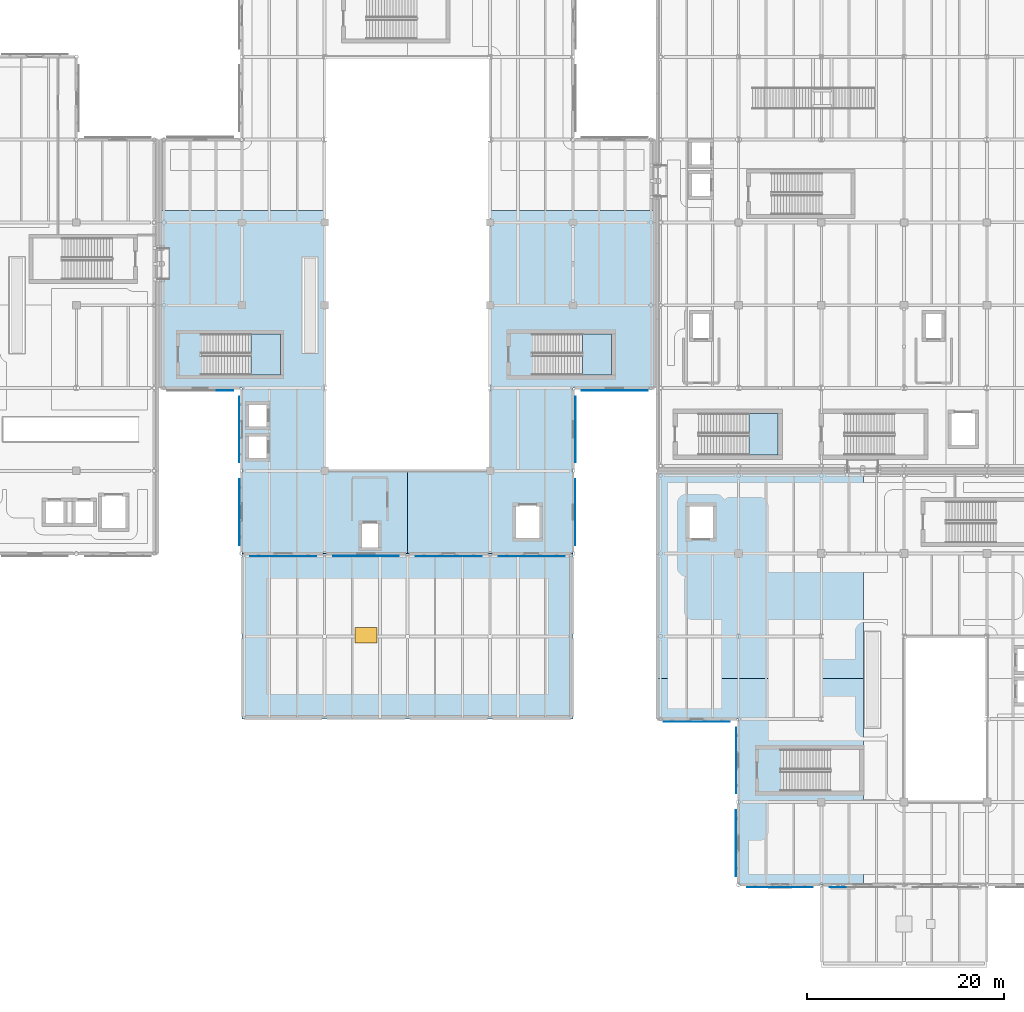
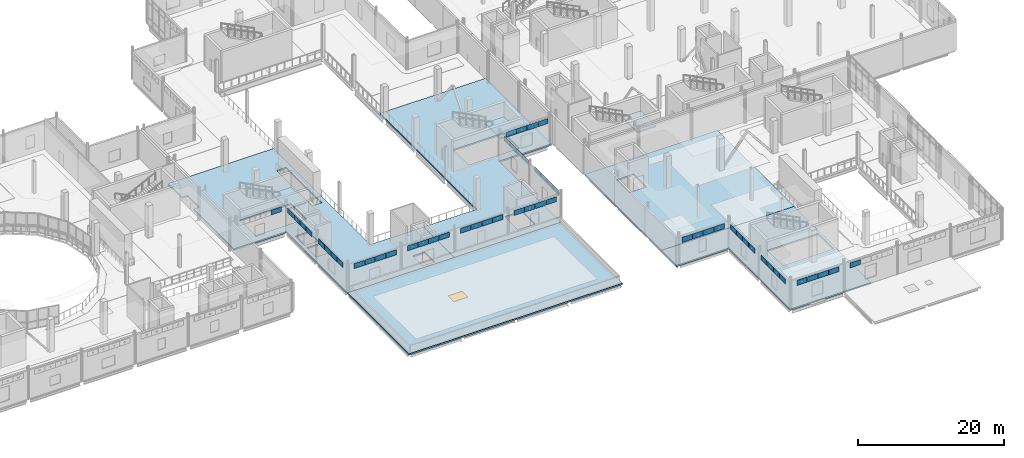
# One storey, part 57 of 110: 54 plates, 8 slabs, 1 window, 1 opening, 3 elements without a shape of their own.
"""IFC4 building model written with IfcOpenShell, lengths in metres."""

import ifcopenshell
import ifcopenshell.guid

model = None  # the IFC model being written
_history = None  # IfcOwnerHistory: only IFC2X3 demands one
_inside = {}  # id of a spatial element -> (the spatial element, [elements in it])
_under = {}  # id of a project, library or spatial element -> (it, [spatial elements below it])
_declared = {}  # id of a project -> (the project, [libraries it declares])
_typed = {}  # id of a type object -> (the type object, [elements of that type])
_made_of = {}  # id of a material, layer set ... -> (it, [elements and type objects made of it])


def new_model(schema):
    """Start an empty IFC model of exactly this schema.

    Asked for "IFC4X3", IfcOpenShell would pick the latest addendum, in which some entities
    have other attributes; the version numbers below select the first issue.
    IFC2X3 requires an IfcOwnerHistory on every rooted entity: one is made here for all.
    """
    global model, _history
    if schema == "IFC4X3":
        model = ifcopenshell.file(schema_version=(4, 3, 0, 0))
    else:
        model = ifcopenshell.file(schema=schema)
    _inside.clear()
    _under.clear()
    _declared.clear()
    _typed.clear()
    _made_of.clear()
    _history = None
    if model.schema == "IFC2X3":
        org = make("IfcOrganization", Name="unknown")
        user = make(
            "IfcPersonAndOrganization",
            ThePerson=make("IfcPerson", FamilyName="unknown"),
            TheOrganization=org,
        )
        app = make(
            "IfcApplication",
            ApplicationDeveloper=org,
            Version="unknown",
            ApplicationFullName="unknown",
            ApplicationIdentifier="unknown",
        )
        _history = make(
            "IfcOwnerHistory",
            OwningUser=user,
            OwningApplication=app,
            ChangeAction="ADDED",
            CreationDate=0,
        )
    return model


def make(cls, **values):
    """One entity of the class cls with the attributes given. An attribute that is None is left unset."""
    return model.create_entity(
        cls, **{name: value for name, value in values.items() if value is not None}
    )


def rooted(cls, **values):
    """An entity with a GlobalId (a new one), such as an element, a storey or a relation."""
    return make(cls, GlobalId=ifcopenshell.guid.new(), OwnerHistory=_history, **values)


def si_unit(unit_type, name, prefix=None):
    """IfcSIUnit, for example si_unit("LENGTHUNIT", "METRE", prefix="MILLI")."""
    return make("IfcSIUnit", UnitType=unit_type, Prefix=prefix, Name=name)


def assignment(units):
    """IfcUnitAssignment: the units of a project."""
    return None if units is None else make("IfcUnitAssignment", Units=units)


def point(xyz):
    """IfcCartesianPoint."""
    return None if xyz is None else make("IfcCartesianPoint", Coordinates=xyz)


def direction(xyz):
    """IfcDirection."""
    return None if xyz is None else make("IfcDirection", DirectionRatios=xyz)


def frame(location, z_axis=None, x_axis=None):
    """IfcAxis2Placement3D, a coordinate frame: its origin and axes. An axis left out is left unset."""
    return make(
        "IfcAxis2Placement3D",
        Location=point(location),
        Axis=direction(z_axis),
        RefDirection=direction(x_axis),
    )


def frame_2d(location, x_axis=None):
    """IfcAxis2Placement2D, a coordinate frame in the plane: its origin and x axis."""
    return make(
        "IfcAxis2Placement2D", Location=point(location), RefDirection=direction(x_axis)
    )


def origin():
    """The frame at (0, 0, 0) with its axes left unset."""
    return frame((0.0, 0.0, 0.0))


def origin_2d():
    """The frame at (0, 0) in the plane with its x axis left unset."""
    return frame_2d((0.0, 0.0))


def place(relative_to, where):
    """IfcLocalPlacement: puts the frame where relative to a parent placement (None: the world)."""
    return make(
        "IfcLocalPlacement", PlacementRelTo=relative_to, RelativePlacement=where
    )


def context(
    kind, dimensions, precision=None, world=None, true_north=None, identifier=None
):
    """IfcGeometricRepresentationContext, for example the 3D "Model" context."""
    return make(
        "IfcGeometricRepresentationContext",
        ContextIdentifier=identifier,
        ContextType=kind,
        CoordinateSpaceDimension=dimensions,
        Precision=precision,
        WorldCoordinateSystem=world,
        TrueNorth=true_north,
    )


def subcontext(parent, identifier, kind, view, scale=None):
    """IfcGeometricRepresentationSubContext, for example "Body" below "Model"."""
    return make(
        "IfcGeometricRepresentationSubContext",
        ContextIdentifier=identifier,
        ContextType=kind,
        ParentContext=parent,
        TargetScale=scale,
        TargetView=view,
    )


def project(units=None, contexts=None):
    """IfcProject with its units and contexts."""
    return rooted(
        "IfcProject",
        Name="project",
        RepresentationContexts=contexts,
        UnitsInContext=assignment(units),
    )


def spatial(cls, under=None, at=None, **own):
    """A site, building, storey or space (cls), placed at a placement, below another one or the project."""
    s = rooted(cls, ObjectPlacement=at, **own)
    if under is not None:
        _under.setdefault(under.id(), (under, []))[1].append(s)
    return s


def polyline(points):
    """IfcPolyline through the points."""
    return make("IfcPolyline", Points=[point(p) for p in points])


def profile(cls, at=None, kind="AREA", **sizes):
    """A parametric profile (cls). Its sizes go by their IFC names, for example OverallWidth=200.0."""
    return make(cls, ProfileType=kind, Position=at, **sizes)


def rectangle(**sizes):
    """IfcRectangleProfileDef."""
    return profile("IfcRectangleProfileDef", **sizes)


def outline(outer, holes=None, kind="AREA"):
    """IfcArbitraryClosedProfileDef: a profile drawn as a closed curve; with holes, ...WithVoids."""
    if holes is None:
        return make("IfcArbitraryClosedProfileDef", ProfileType=kind, OuterCurve=outer)
    return make(
        "IfcArbitraryProfileDefWithVoids",
        ProfileType=kind,
        OuterCurve=outer,
        InnerCurves=holes,
    )


def extrude(swept, where, along, depth):
    """IfcExtrudedAreaSolid: the profile swept, set in the frame where, extruded along a direction by depth."""
    return make(
        "IfcExtrudedAreaSolid",
        SweptArea=swept,
        Position=where,
        ExtrudedDirection=direction(along),
        Depth=depth,
    )


def shape(context_of_items, identifier, shape_type, items):
    """IfcShapeRepresentation: the items that make up one representation, for example the "Body"."""
    return make(
        "IfcShapeRepresentation",
        ContextOfItems=context_of_items,
        RepresentationIdentifier=identifier,
        RepresentationType=shape_type,
        Items=items,
    )


def material(Name=None, Category=None):
    """IfcMaterial."""
    return make("IfcMaterial", Name=Name, Category=Category)


def layer(
    of_material, thickness, ventilated=None, Name=None, Category=None, Priority=None
):
    """IfcMaterialLayer: one layer of a wall or slab, of a material (None: an air gap)."""
    return make(
        "IfcMaterialLayer",
        Material=of_material,
        LayerThickness=thickness,
        IsVentilated=ventilated,
        Name=Name,
        Category=Category,
        Priority=Priority,
    )


def layer_set(layers, Name=None):
    """IfcMaterialLayerSet."""
    return make("IfcMaterialLayerSet", MaterialLayers=layers, LayerSetName=Name)


def made_of(thing, what):
    """Note that an element or type object is made of a material, layer set ...; save() writes the relation."""
    if what is not None:
        _made_of.setdefault(what.id(), (what, []))[1].append(thing)
    return thing


def type_object(cls, material=None, **own):
    """A type object (cls), such as IfcWallType, which elements share."""
    return made_of(rooted(cls, **own), material)


def element(
    cls,
    number,
    at=None,
    inside=None,
    cuts=None,
    type_object=None,
    material=None,
    context=None,
    identifier="Body",
    shape_type=None,
    held_by="IfcProductDefinitionShape",
    body=None,
    shapes=None,
    **own,
):
    """One element of the class cls, such as IfcWall. Its Tag is "e" and its number.

    at: its placement. inside: the storey or other place that contains it. cuts: it is an
    opening in that element (IfcRelVoidsElement). A single representation is given by context,
    identifier, shape_type and body (its items); several are given by shapes. held_by: the class
    of the entity that holds the representations. save() writes the other relations.
    """
    e = rooted(cls, Tag="e%d" % number, ObjectPlacement=at, **own)
    if body is not None:
        shapes = [shape(context, identifier, shape_type, body)]
    if shapes is not None:
        e.Representation = make(held_by, Representations=shapes)
    if inside is not None:
        _inside.setdefault(inside.id(), (inside, []))[1].append(e)
    if cuts is not None:
        rooted(
            "IfcRelVoidsElement", RelatingBuildingElement=cuts, RelatedOpeningElement=e
        )
    if type_object is not None:
        _typed.setdefault(type_object.id(), (type_object, []))[1].append(e)
    return made_of(e, material)


def fill(opening, filler):
    """IfcRelFillsElement: the door or window that sits in an opening."""
    return rooted(
        "IfcRelFillsElement",
        RelatingOpeningElement=opening,
        RelatedBuildingElement=filler,
    )


def aggregate(whole, parts):
    """IfcRelAggregates: a whole, such as a stair, and the parts it consists of."""
    return rooted("IfcRelAggregates", RelatingObject=whole, RelatedObjects=parts)


def save(model, path):
    """Write the relations noted so far, then the file.

    IfcRelAggregates (storeys below a building ...), IfcRelContainedInSpatialStructure (elements
    in a storey), IfcRelDefinesByType, IfcRelAssociatesMaterial and IfcRelDeclares: one each for
    every whole, place, type object, material and project.
    """
    for whole, parts in _under.values():
        aggregate(whole, parts)
    for where, things in _inside.values():
        rooted(
            "IfcRelContainedInSpatialStructure",
            RelatedElements=things,
            RelatingStructure=where,
        )
    for kind, things in _typed.values():
        rooted("IfcRelDefinesByType", RelatedObjects=things, RelatingType=kind)
    for what, things in _made_of.values():
        rooted("IfcRelAssociatesMaterial", RelatedObjects=things, RelatingMaterial=what)
    for by, libraries in _declared.values():
        rooted("IfcRelDeclares", RelatingContext=by, RelatedDefinitions=libraries)
    model.write(path)


model = new_model("IFC4")

# Units and contexts
model_context = context("Model", 3, precision=1e-05, world=origin(), true_north=direction((0.0, 1.0)))
body_context = subcontext(model_context, "Body", "Model", "MODEL_VIEW")
ifc_project = project(units=[si_unit("LENGTHUNIT", "METRE"), si_unit("AREAUNIT", "SQUARE_METRE"), si_unit("VOLUMEUNIT", "CUBIC_METRE"), si_unit("PLANEANGLEUNIT", "RADIAN"), si_unit("MASSUNIT", "GRAM", prefix="KILO"), si_unit("THERMODYNAMICTEMPERATUREUNIT", "KELVIN")], contexts=[model_context])

# Site, building, storey
site_placement = place(None, origin())
site = spatial("IfcSite", under=ifc_project, at=site_placement, CompositionType="ELEMENT")
building_placement = place(site_placement, origin())
building = spatial("IfcBuilding", under=site, at=building_placement, Name="Lustrewick Department Store", CompositionType="ELEMENT")
storey_placement = place(building_placement, frame((0.0, 0.0, 6.0)))
storey = spatial("IfcBuildingStorey", under=building, at=storey_placement, Name="L02", CompositionType="ELEMENT", Elevation=6.0)

# Slabs
ifc_material_1 = material(Name="Concrete C30", Category="concrete")
ifc_layer_1 = layer(ifc_material_1, 0.25, Name="Concrete C30")
ifc_layer_set_1 = layer_set([ifc_layer_1], Name="Concrete C30")
slab_type_1 = type_object("IfcSlabType", Name="FS02", PredefinedType="FLOOR", material=ifc_layer_set_1)
slab_1_placement = place(storey_placement, frame((0.0, 0.0, -0.25)))
element("IfcSlab", 1, at=slab_1_placement, inside=storey, type_object=slab_type_1, Name="L02 V2 Floor Slab FS02", PredefinedType="FLOOR", context=body_context, shape_type="SweptSolid", body=[
    extrude(outline(polyline([(67.199951171875, 58.800048828125), (67.199951171875, 42.0), (84.0, 42.0), (84.0, 50.39990234375), (75.60009765625, 50.39990234375), (75.60009765625, 76.800048828125), (58.949951171875, 76.800048828125), (58.949951171875, 73.0048828125), (59.8349609375, 73.0048828125), (59.8349609375, 69.794921875), (58.949951171875, 69.794921875), (58.949951171875, 58.800048828125), (67.199951171875, 58.800048828125)]), holes=[polyline([(79.25, 42.449951171875), (79.25, 45.14990234375), (81.14990234375, 45.14990234375), (81.14990234375, 42.449951171875), (79.25, 42.449951171875)]), polyline([(73.35009765625, 62.35009765625), (73.35009765625, 72.050048828125), (74.85009765625, 72.050048828125), (74.85009765625, 62.35009765625), (73.35009765625, 62.35009765625)]), polyline([(63.1201171875, 60.10009765625), (63.1201171875, 64.300048828125), (71.10009765625, 64.300048828125), (71.10009765625, 60.10009765625), (63.1201171875, 60.10009765625)]), polyline([(67.75, 51.550048828125), (67.75, 54.050048828125), (69.85009765625, 54.050048828125), (69.85009765625, 51.550048828125), (67.75, 51.550048828125)]), polyline([(67.75, 54.75), (67.75, 57.25), (69.85009765625, 57.25), (69.85009765625, 54.75), (67.75, 54.75)])]), origin(), (0.0, 0.0, 1.0), 0.25),
])
slab_2_placement = place(storey_placement, frame((0.0, 0.0, -0.25)))
element("IfcSlab", 2, at=slab_2_placement, inside=storey, type_object=slab_type_1, Name="L02 V2 Floor Slab FS02", PredefinedType="FLOOR", context=body_context, shape_type="SweptSolid", body=[
    extrude(outline(polyline([(109.050048828125, 58.800048828125), (109.050048828125, 76.800048828125), (92.39990234375, 76.800048828125), (92.39990234375, 50.39990234375), (84.0, 50.39990234375), (84.0, 42.0), (100.800048828125, 42.0), (100.800048828125, 58.800048828125), (109.050048828125, 58.800048828125)]), holes=[polyline([(96.719970703125, 60.10009765625), (96.719970703125, 64.300048828125), (104.699951171875, 64.300048828125), (104.699951171875, 60.10009765625), (96.719970703125, 60.10009765625)]), polyline([(94.85009765625, 43.449951171875), (94.85009765625, 46.949951171875), (97.550048828125, 46.949951171875), (97.550048828125, 43.449951171875), (94.85009765625, 43.449951171875)])]), origin(), (0.0, 0.0, 1.0), 0.25),
])
slab_3_placement = place(storey_placement, frame((0.0, 0.0, -0.25)))
element("IfcSlab", 3, at=slab_3_placement, inside=storey, type_object=slab_type_1, Name="L02 V3 Floor Slab FS02", PredefinedType="FLOOR", context=body_context, shape_type="SweptSolid", body=[
    extrude(outline(polyline([(117.60009765625, 8.39990234375), (130.27490234375, 8.39990234375), (130.27490234375, 29.324951171875), (109.35009765625, 29.324951171875), (109.35009765625, 25.199951171875), (117.60009765625, 25.199951171875), (117.60009765625, 8.39990234375)]), holes=[polyline([(121.919921875, 17.89990234375), (121.919921875, 22.10009765625), (129.89990234375, 22.10009765625), (129.89990234375, 17.89990234375), (121.919921875, 17.89990234375)])]), origin(), (0.0, 0.0, 1.0), 0.25),
])
slab_4_placement = place(storey_placement, frame((0.0, 0.0, -0.25)))
element("IfcSlab", 4, at=slab_4_placement, inside=storey, type_object=slab_type_1, Name="L02 V3 Floor Slab FS02", PredefinedType="FLOOR", context=body_context, shape_type="SweptSolid", body=[
    extrude(outline(polyline([(109.35009765625, 50.25), (109.35009765625, 29.324951171875), (130.27490234375, 29.324951171875), (130.27490234375, 50.25), (109.35009765625, 50.25)]), holes=[polyline([(112.449951171875, 43.449951171875), (112.449951171875, 46.949951171875), (115.14990234375, 46.949951171875), (115.14990234375, 43.449951171875), (112.449951171875, 43.449951171875)])]), origin(), (0.0, 0.0, 1.0), 0.25),
])

# Stair, slab
stair_type = type_object("IfcStairType", Name="ST-H54", PredefinedType="HALF_TURN_STAIR", material=ifc_material_1)
stair_1_placement = place(storey_placement, origin())
stair_1 = element("IfcStair", 5, at=stair_1_placement, inside=storey, type_object=stair_type, Name="L02 Smoke-Proof Exit Stair ST04", PredefinedType="HALF_TURN_STAIR")
ifc_layer_2 = layer(ifc_material_1, 0.199951171875, Name="Concrete C30")
ifc_layer_set_2 = layer_set([ifc_layer_2], Name="Concrete C30")
slab_type_2 = type_object("IfcSlabType", Name="LS01", PredefinedType="LANDING", material=ifc_layer_set_2)
slab_5_placement = place(storey_placement, frame((0.0, 0.0, 2.5)))
slab_5 = element("IfcSlab", 6, at=slab_5_placement, type_object=slab_type_2, Name="ST-H54 landing 1", PredefinedType="LANDING", context=body_context, shape_type="SweptSolid", body=[
    extrude(outline(polyline([(68.14990234375, 60.10009765625), (71.10009765625, 60.10009765625), (71.10009765625, 64.300048828125), (68.14990234375, 64.300048828125), (68.14990234375, 60.10009765625)])), origin(), (0.0, 0.0, 1.0), 0.199951171875),
])
aggregate(stair_1, [slab_5])

stair_2_placement = place(storey_placement, origin())
stair_2 = element("IfcStair", 7, at=stair_2_placement, inside=storey, type_object=stair_type, Name="L02 Smoke-Proof Exit Stair ST05", PredefinedType="HALF_TURN_STAIR")
slab_6_placement = place(storey_placement, frame((0.0, 0.0, 2.5)))
slab_6 = element("IfcSlab", 8, at=slab_6_placement, type_object=slab_type_2, Name="ST-H54 landing 1", PredefinedType="LANDING", context=body_context, shape_type="SweptSolid", body=[
    extrude(outline(polyline([(101.75, 60.10009765625), (104.699951171875, 60.10009765625), (104.699951171875, 64.300048828125), (101.75, 64.300048828125), (101.75, 60.10009765625)])), origin(), (0.0, 0.0, 1.0), 0.199951171875),
])
aggregate(stair_2, [slab_6])

stair_3_placement = place(storey_placement, origin())
stair_3 = element("IfcStair", 9, at=stair_3_placement, inside=storey, type_object=stair_type, Name="L02 Smoke-Proof Exit Stair ST09", PredefinedType="HALF_TURN_STAIR")
slab_7_placement = place(storey_placement, frame((0.0, 0.0, 2.5)))
slab_7 = element("IfcSlab", 10, at=slab_7_placement, type_object=slab_type_2, Name="ST-H54 landing 1", PredefinedType="LANDING", context=body_context, shape_type="SweptSolid", body=[
    extrude(outline(polyline([(118.64990234375, 52.0), (121.60009765625, 52.0), (121.60009765625, 56.199951171875), (118.64990234375, 56.199951171875), (118.64990234375, 52.0)])), origin(), (0.0, 0.0, 1.0), 0.199951171875),
])
aggregate(stair_3, [slab_7])

# Plates
ifc_material_2 = material(Name="Perforated white powder-coated aluminium 3003-H24", Category="aluminium")
ifc_layer_3 = layer(ifc_material_2, 0.011962890625, Name="Perforated white powder-coated aluminium 3003-H24")
ifc_layer_set_3 = layer_set([ifc_layer_3], Name="Perforated white powder-coated aluminium 3003-H24")
plate_type_1 = type_object("IfcPlateType", Name="PS03", PredefinedType="SHEET", material=ifc_layer_set_3)
for number, where, z_axis, x_axis, name in (
    (11, (68.8798828125, 41.73388671875, 3.8671875), (0.0, 0.0, 1.0), (1.0, 0.0, 0.0), "L02 Botanical Filigree Cassette PS03 0077"),
    (12, (70.56005859375, 41.73388671875, 3.8671875), (0.0, 0.0, 1.0), (1.0, 0.0, 0.0), "L02 Botanical Filigree Cassette PS03 0078"),
    (13, (72.239990234375, 41.73388671875, 3.8671875), (0.0, 0.0, 1.0), (1.0, 0.0, 0.0), "L02 Botanical Filigree Cassette PS03 0079"),
    (14, (73.919921875, 41.73388671875, 3.8671875), (0.0, 0.0, 1.0), (1.0, 0.0, 0.0), "L02 Botanical Filigree Cassette PS03 0080"),
    (15, (77.280029296875, 41.75390625, 3.8671875), (0.0, 0.0, 1.0), (1.0, 0.0, 0.0), "L02 Botanical Filigree Cassette PS03 0081"),
    (16, (78.9599609375, 41.75390625, 3.8671875), (0.0, 0.0, 1.0), (1.0, 0.0, 0.0), "L02 Botanical Filigree Cassette PS03 0082"),
    (17, (80.639892578125, 41.75390625, 3.8671875), (0.0, 0.0, 1.0), (1.0, 0.0, 0.0), "L02 Botanical Filigree Cassette PS03 0083"),
    (18, (82.320068359375, 41.75390625, 3.8671875), (0.0, 0.0, 1.0), (1.0, 0.0, 0.0), "L02 Botanical Filigree Cassette PS03 0084"),
    (19, (85.679931640625, 41.743896484375, 3.8671875), (0.0, 0.0, 1.0), (1.0, 0.0, 0.0), "L02 Botanical Filigree Cassette PS03 0085"),
    (20, (87.360107421875, 41.743896484375, 3.8671875), (0.0, 0.0, 1.0), (1.0, 0.0, 0.0), "L02 Botanical Filigree Cassette PS03 0086"),
    (21, (89.0400390625, 41.743896484375, 3.8671875), (0.0, 0.0, 1.0), (1.0, 0.0, 0.0), "L02 Botanical Filigree Cassette PS03 0087"),
    (22, (90.719970703125, 41.743896484375, 3.8671875), (0.0, 0.0, 1.0), (1.0, 0.0, 0.0), "L02 Botanical Filigree Cassette PS03 0088"),
    (23, (94.080078125, 41.73388671875, 3.8671875), (0.0, 0.0, 1.0), (1.0, 0.0, 0.0), "L02 Botanical Filigree Cassette PS03 0089"),
    (24, (95.760009765625, 41.73388671875, 3.8671875), (0.0, 0.0, 1.0), (1.0, 0.0, 0.0), "L02 Botanical Filigree Cassette PS03 0090"),
    (25, (97.43994140625, 41.73388671875, 3.8671875), (0.0, 0.0, 1.0), (1.0, 0.0, 0.0), "L02 Botanical Filigree Cassette PS03 0091"),
    (26, (99.1201171875, 41.73388671875, 3.8671875), (0.0, 0.0, 1.0), (1.0, 0.0, 0.0), "L02 Botanical Filigree Cassette PS03 0092"),
    (27, (101.0458984375, 43.687255859375, 3.77685546875), (0.0, 0.0, 1.0), (0.0, 1.0, 0.0), "L02 Botanical Filigree Cassette PS03 0093"),
    (28, (101.0458984375, 45.3671875, 3.77685546875), (0.0, 0.0, 1.0), (0.0, 1.0, 0.0), "L02 Botanical Filigree Cassette PS03 0094"),
    (29, (101.0458984375, 47.04736328125, 3.77685546875), (0.0, 0.0, 1.0), (0.0, 1.0, 0.0), "L02 Botanical Filigree Cassette PS03 0095"),
    (30, (101.0458984375, 48.727294921875, 3.77685546875), (0.0, 0.0, 1.0), (0.0, 1.0, 0.0), "L02 Botanical Filigree Cassette PS03 0096"),
    (31, (101.055908203125, 52.07275390625, 3.77685546875), (0.0, 0.0, 1.0), (0.0, 1.0, 0.0), "L02 Botanical Filigree Cassette PS03 0097"),
    (32, (101.055908203125, 53.752685546875, 3.77685546875), (0.0, 0.0, 1.0), (0.0, 1.0, 0.0), "L02 Botanical Filigree Cassette PS03 0098"),
    (33, (101.055908203125, 55.4326171875, 3.77685546875), (0.0, 0.0, 1.0), (0.0, 1.0, 0.0), "L02 Botanical Filigree Cassette PS03 0099"),
    (34, (101.055908203125, 57.11279296875, 3.77685546875), (0.0, 0.0, 1.0), (0.0, 1.0, 0.0), "L02 Botanical Filigree Cassette PS03 0100"),
    (35, (102.50390625, 58.5439453125, 3.77685546875), (0.0, 0.0, 1.0), (1.0, 0.0, 0.0), "L02 Botanical Filigree Cassette PS03 0101"),
    (36, (104.18408203125, 58.5439453125, 3.77685546875), (0.0, 0.0, 1.0), (1.0, 0.0, 0.0), "L02 Botanical Filigree Cassette PS03 0102"),
    (37, (105.864013671875, 58.5439453125, 3.77685546875), (0.0, 0.0, 1.0), (1.0, 0.0, 0.0), "L02 Botanical Filigree Cassette PS03 0103"),
    (38, (107.5439453125, 58.5439453125, 3.77685546875), (0.0, 0.0, 1.0), (1.0, 0.0, 0.0), "L02 Botanical Filigree Cassette PS03 0104"),
):
    element("IfcPlate", number, at=place(storey_placement, frame(where, z_axis=z_axis, x_axis=x_axis)), inside=storey, type_object=plate_type_1, Name=name, PredefinedType="SHEET", context=body_context, shape_type="SweptSolid", body=[
        extrude(rectangle(XDim=1.639892578125, YDim=0.011962890625, at=origin_2d()), origin(), (0.0, 0.0, 1.0), 0.840087890625),
    ])
ifc_material_3 = material(Name="Sage-green enamelled aluminium spandrel 3003-H24", Category="aluminium")
ifc_layer_4 = layer(ifc_material_3, 0.01611328125, Name="Sage-green enamelled aluminium spandrel 3003-H24")
ifc_layer_set_4 = layer_set([ifc_layer_4], Name="Sage-green enamelled aluminium spandrel 3003-H24")
plate_type_2 = type_object("IfcPlateType", Name="PS05", PredefinedType="SHEET", material=ifc_layer_set_4)
for number, where, z_axis, x_axis, name in (
    (39, (65.49609375, 58.5419921875, 3.77685546875), (0.0, 0.0, 1.0), (1.0, 0.0, 0.0), "L02 Botanical Filigree Cassette PS05 0153"),
    (40, (66.931884765625, 57.11279296875, 3.7109375), (0.0, 0.0, 1.0), (0.0, -1.0, 0.0), "L02 Botanical Filigree Cassette PS05 0154"),
    (41, (66.931884765625, 55.4326171875, 3.7109375), (0.0, 0.0, 1.0), (0.0, -1.0, 0.0), "L02 Botanical Filigree Cassette PS05 0155"),
    (42, (66.931884765625, 53.752685546875, 3.7109375), (0.0, 0.0, 1.0), (0.0, -1.0, 0.0), "L02 Botanical Filigree Cassette PS05 0156"),
    (43, (66.931884765625, 52.07275390625, 3.7109375), (0.0, 0.0, 1.0), (0.0, -1.0, 0.0), "L02 Botanical Filigree Cassette PS05 0157"),
    (44, (66.951904296875, 48.727294921875, 3.7109375), (0.0, 0.0, 1.0), (0.0, -1.0, 0.0), "L02 Botanical Filigree Cassette PS05 0158"),
    (45, (66.951904296875, 47.04736328125, 3.7109375), (0.0, 0.0, 1.0), (0.0, -1.0, 0.0), "L02 Botanical Filigree Cassette PS05 0159"),
    (46, (66.951904296875, 45.3671875, 3.7109375), (0.0, 0.0, 1.0), (0.0, -1.0, 0.0), "L02 Botanical Filigree Cassette PS05 0160"),
    (47, (66.951904296875, 43.687255859375, 3.7109375), (0.0, 0.0, 1.0), (0.0, -1.0, 0.0), "L02 Botanical Filigree Cassette PS05 0161"),
    (48, (110.85595703125, 24.931884765625, 3.7109375), (0.0, 0.0, 1.0), (1.0, 0.0, 0.0), "L02 Botanical Filigree Cassette PS05 0162"),
    (49, (112.535888671875, 24.931884765625, 3.7109375), (0.0, 0.0, 1.0), (1.0, 0.0, 0.0), "L02 Botanical Filigree Cassette PS05 0163"),
    (50, (114.216064453125, 24.931884765625, 3.7109375), (0.0, 0.0, 1.0), (1.0, 0.0, 0.0), "L02 Botanical Filigree Cassette PS05 0164"),
    (51, (115.89599609375, 24.931884765625, 3.7109375), (0.0, 0.0, 1.0), (1.0, 0.0, 0.0), "L02 Botanical Filigree Cassette PS05 0165"),
    (52, (117.35205078125, 23.52001953125, 3.7109375), (0.0, 0.0, 1.0), (0.0, -1.0, 0.0), "L02 Botanical Filigree Cassette PS05 0166"),
    (53, (117.35205078125, 21.840087890625, 3.7109375), (0.0, 0.0, 1.0), (0.0, -1.0, 0.0), "L02 Botanical Filigree Cassette PS05 0167"),
    (54, (117.35205078125, 20.159912109375, 3.7109375), (0.0, 0.0, 1.0), (0.0, -1.0, 0.0), "L02 Botanical Filigree Cassette PS05 0168"),
    (55, (117.35205078125, 18.47998046875, 3.7109375), (0.0, 0.0, 1.0), (0.0, -1.0, 0.0), "L02 Botanical Filigree Cassette PS05 0169"),
    (56, (117.342041015625, 15.11279296875, 3.7109375), (0.0, 0.0, 1.0), (0.0, -1.0, 0.0), "L02 Botanical Filigree Cassette PS05 0170"),
    (57, (117.342041015625, 13.432861328125, 3.7109375), (0.0, 0.0, 1.0), (0.0, -1.0, 0.0), "L02 Botanical Filigree Cassette PS05 0171"),
    (58, (117.342041015625, 11.752685546875, 3.7109375), (0.0, 0.0, 1.0), (0.0, -1.0, 0.0), "L02 Botanical Filigree Cassette PS05 0172"),
    (59, (117.342041015625, 10.07275390625, 3.7109375), (0.0, 0.0, 1.0), (0.0, -1.0, 0.0), "L02 Botanical Filigree Cassette PS05 0173"),
    (60, (119.280029296875, 8.14208984375, 3.77685546875), (0.0, 0.0, 1.0), (1.0, 0.0, 0.0), "L02 Botanical Filigree Cassette PS05 0174"),
    (61, (120.9599609375, 8.14208984375, 3.77685546875), (0.0, 0.0, 1.0), (1.0, 0.0, 0.0), "L02 Botanical Filigree Cassette PS05 0175"),
    (62, (122.639892578125, 8.14208984375, 3.77685546875), (0.0, 0.0, 1.0), (1.0, 0.0, 0.0), "L02 Botanical Filigree Cassette PS05 0176"),
    (63, (124.320068359375, 8.14208984375, 3.77685546875), (0.0, 0.0, 1.0), (1.0, 0.0, 0.0), "L02 Botanical Filigree Cassette PS05 0177"),
    (64, (127.679931640625, 8.132080078125, 3.77685546875), (0.0, 0.0, 1.0), (1.0, 0.0, 0.0), "L02 Botanical Filigree Cassette PS05 0178"),
):
    element("IfcPlate", number, at=place(storey_placement, frame(where, z_axis=z_axis, x_axis=x_axis)), inside=storey, type_object=plate_type_2, Name=name, PredefinedType="SHEET", context=body_context, shape_type="SweptSolid", body=[
        extrude(rectangle(XDim=1.639892578125, YDim=0.01611328125, at=origin_2d()), origin(), (0.0, 0.0, 1.0), 0.840087890625),
    ])

# Slab, opening, window
ifc_material_4 = material(Name="Concrete C35", Category="concrete")
ifc_layer_5 = layer(ifc_material_4, 0.248046875, Name="Concrete C35")
ifc_layer_set_5 = layer_set([ifc_layer_5], Name="Concrete C35")
slab_type_3 = type_object("IfcSlabType", Name="RS01", PredefinedType="ROOF", material=ifc_layer_set_5)
slab_8_placement = place(storey_placement, frame((0.0, 0.0, -0.248046875)))
slab_8 = element("IfcSlab", 65, at=slab_8_placement, inside=storey, type_object=slab_type_3, Name="L02 Flat Insulated Roof V2-DOCK-ROOF", PredefinedType="ROOF", context=body_context, shape_type="SweptSolid", body=[
    extrude(outline(polyline([(100.800048828125, 25.199951171875), (100.800048828125, 42.0), (67.199951171875, 42.0), (67.199951171875, 25.199951171875), (100.800048828125, 25.199951171875)])), origin(), (0.0, 0.0, 1.0), 0.248046875),
])
opening_placement = place(slab_8_placement, frame((79.800048828125, 33.707763671875, -0.010009765625)))
opening = element("IfcOpeningElement", 66, at=opening_placement, cuts=slab_8, Name="Opening SK06", PredefinedType="OPENING", context=body_context, shape_type="SweptSolid", body=[
    extrude(rectangle(XDim=2.199951171875, YDim=1.60009765625, at=origin_2d()), origin(), (0.0, 0.0, 1.0), 0.26806640625),
])
ifc_material_5 = material(Name="Thermally broken Low-E triple-glazed skylight", Category="glass")
window_type = type_object("IfcWindowType", Name="SK06", PartitioningType="SINGLE_PANEL", PredefinedType="SKYLIGHT", material=ifc_material_5)
window_placement = place(opening_placement, frame((0.0, 0.0, 0.2080078125)))
window = element("IfcWindow", 67, at=window_placement, inside=storey, type_object=window_type, Name="L02 Roof Skylight SK06", OverallHeight=1.60009765625, OverallWidth=2.199951171875, PartitioningType="SINGLE_PANEL", PredefinedType="SKYLIGHT", context=body_context, shape_type="SweptSolid", body=[
    extrude(rectangle(XDim=2.199951171875, YDim=1.60009765625, at=origin_2d()), origin(), (0.0, 0.0, 1.0), 0.050048828125),
])
fill(opening, window)

save(model, "model.ifc")
